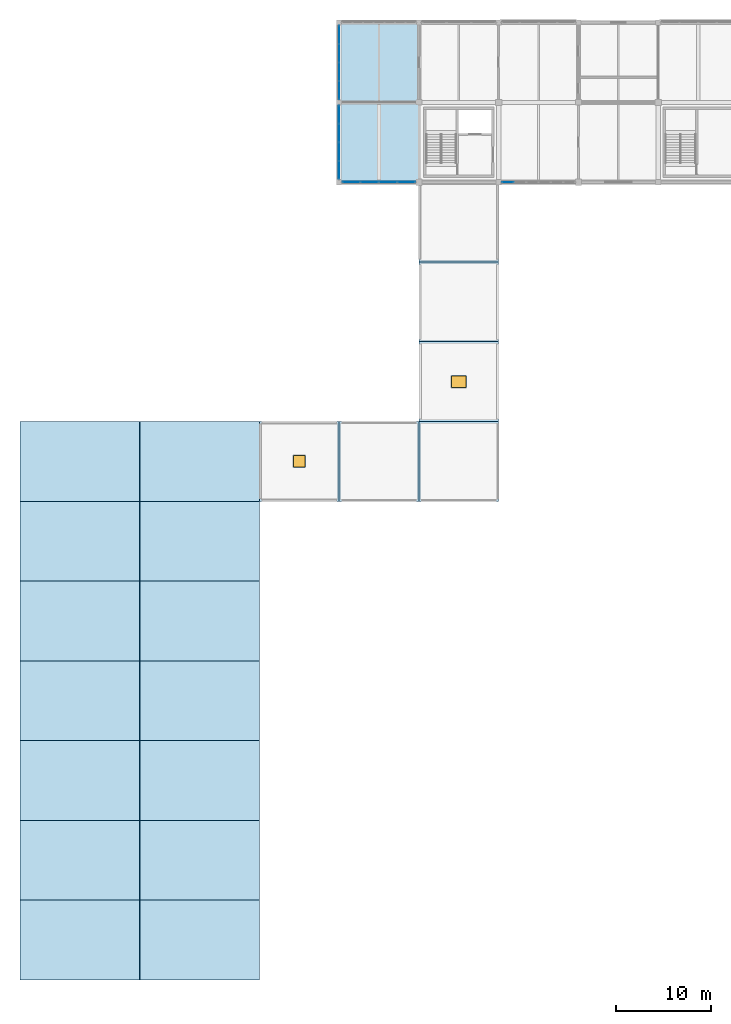
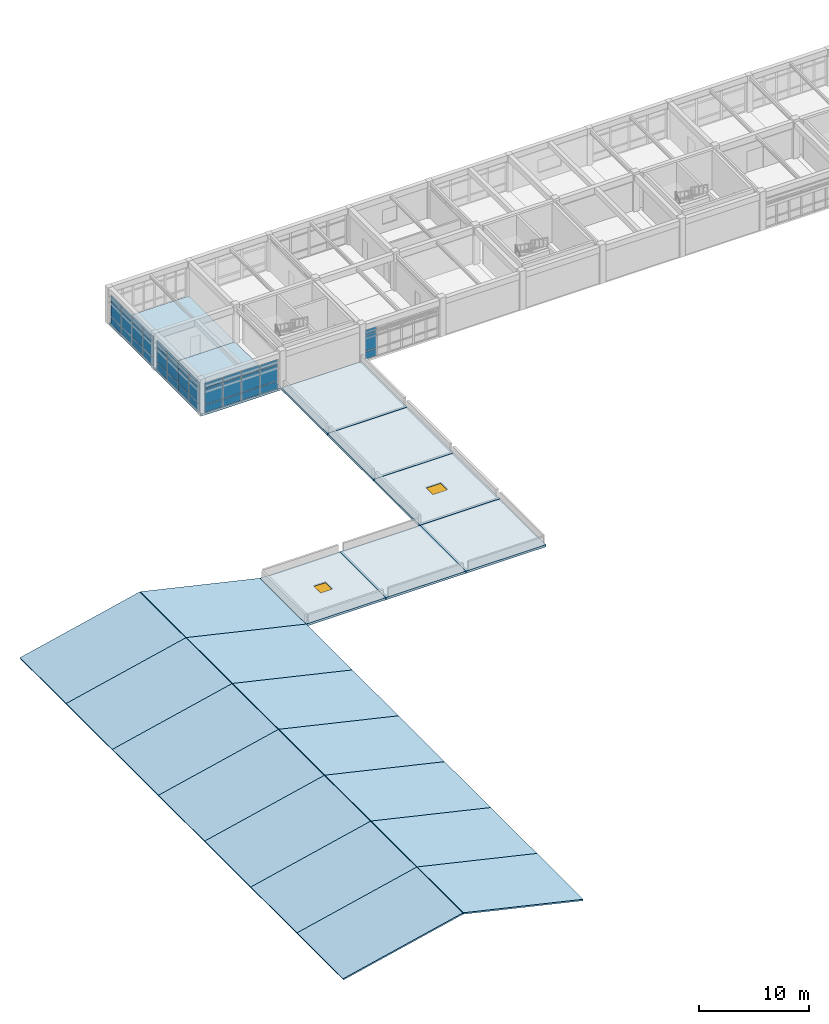
# One storey, part 11 of 18: 39 plates, 22 slabs, 2 windows, 2 openings, 4 elements without a shape of their own.
"""IFC4 building model written with IfcOpenShell, lengths in metres."""

from ifc_helpers import new_model, si_unit, direction, frame, origin, origin_2d, place, context, subcontext, project, spatial, polyline, rectangle, outline, extrude, material, layer, layer_set, type_object, element, fill, aggregate, save


model = new_model("IFC4")

# Units and contexts
model_context = context("Model", 3, precision=1e-05, world=origin(), true_north=direction((0.0, 1.0)))
body_context = subcontext(model_context, "Body", "Model", "MODEL_VIEW")
ifc_project = project(units=[si_unit("LENGTHUNIT", "METRE"), si_unit("AREAUNIT", "SQUARE_METRE"), si_unit("VOLUMEUNIT", "CUBIC_METRE"), si_unit("PLANEANGLEUNIT", "RADIAN"), si_unit("MASSUNIT", "GRAM", prefix="KILO")], contexts=[model_context])

# Site, building, storey
site_placement = place(None, origin())
site = spatial("IfcSite", under=ifc_project, at=site_placement, CompositionType="ELEMENT")
building_placement = place(site_placement, origin())
building = spatial("IfcBuilding", under=site, at=building_placement, Name="Porcellanite Civic Hall", CompositionType="ELEMENT")
storey_placement = place(building_placement, frame((0.0, 0.0, 23.39990234375)))
storey = spatial("IfcBuildingStorey", under=building, at=storey_placement, Name="L05", CompositionType="ELEMENT", Elevation=23.39990234375)

# Curtain wall, plates
ifc_material_1 = material(Name="Anodised aluminium and solar laminated glass", Category="aluminium")
ifc_layer_1 = layer(ifc_material_1, 0.179931640625)
ifc_layer_set_1 = layer_set([ifc_layer_1], Name="Anodised aluminium and solar laminated glass")
curtain_wall_type_1 = type_object("IfcCurtainWallType", Name="CW-SYS06", PredefinedType="NOTDEFINED", material=ifc_layer_set_1)
curtain_wall_1_placement = place(storey_placement, origin())
curtain_wall_1 = element("IfcCurtainWall", 1, at=curtain_wall_1_placement, inside=storey, type_object=curtain_wall_type_1, Name="Curtain wall CW-260", PredefinedType="NOTDEFINED")
ifc_material_2 = material(Name="Cyclone laminated solar-control low-E glass", Category="glass")
ifc_layer_2 = layer(ifc_material_2, 0.02392578125)
ifc_layer_set_2 = layer_set([ifc_layer_2], Name="Cyclone laminated solar-control low-E glass")
plate_type_1 = type_object("IfcPlateType", Name="CWP-01", PredefinedType="CURTAIN_PANEL", material=ifc_layer_set_2)
plate_1_placement = place(storey_placement, frame((42.0, 110.47314453125, 0.05029296875), z_axis=(0.0, 0.0, 1.0), x_axis=(0.0, 1.0, 0.0)))
plate_1 = element("IfcPlate", 2, at=plate_1_placement, type_object=plate_type_1, Name="CW-260 panel 1.1", PredefinedType="CURTAIN_PANEL", context=body_context, shape_type="SweptSolid", body=[
    extrude(rectangle(XDim=1.864501953125, YDim=0.02392578125, at=origin_2d()), origin(), (0.0, 0.0, 1.0), 0.824951171875),
])
plate_2_placement = place(storey_placement, frame((42.0, 110.47314453125, 0.925048828125), z_axis=(0.0, 0.0, 1.0), x_axis=(0.0, 1.0, 0.0)))
plate_2 = element("IfcPlate", 3, at=plate_2_placement, type_object=plate_type_1, Name="CW-260 panel 1.2", PredefinedType="CURTAIN_PANEL", context=body_context, shape_type="SweptSolid", body=[
    extrude(rectangle(XDim=1.864501953125, YDim=0.02392578125, at=origin_2d()), origin(), (0.0, 0.0, 1.0), 1.77001953125),
])
plate_3_placement = place(storey_placement, frame((42.0, 110.47314453125, 2.7451171875), z_axis=(0.0, 0.0, 1.0), x_axis=(0.0, 1.0, 0.0)))
plate_3 = element("IfcPlate", 4, at=plate_3_placement, type_object=plate_type_1, Name="CW-260 panel 1.3", PredefinedType="CURTAIN_PANEL", context=body_context, shape_type="SweptSolid", body=[
    extrude(rectangle(XDim=1.864501953125, YDim=0.02392578125, at=origin_2d()), origin(), (0.0, 0.0, 1.0), 0.574951171875),
])
plate_4_placement = place(storey_placement, frame((42.0, 112.4189453125, 0.05029296875), z_axis=(0.0, 0.0, 1.0), x_axis=(0.0, 1.0, 0.0)))
plate_4 = element("IfcPlate", 5, at=plate_4_placement, type_object=plate_type_1, Name="CW-260 panel 2.1", PredefinedType="CURTAIN_PANEL", context=body_context, shape_type="SweptSolid", body=[
    extrude(rectangle(XDim=1.89697265625, YDim=0.02392578125, at=origin_2d()), origin(), (0.0, 0.0, 1.0), 0.824951171875),
])
plate_5_placement = place(storey_placement, frame((42.0, 112.4189453125, 0.925048828125), z_axis=(0.0, 0.0, 1.0), x_axis=(0.0, 1.0, 0.0)))
plate_5 = element("IfcPlate", 6, at=plate_5_placement, type_object=plate_type_1, Name="CW-260 panel 2.2", PredefinedType="CURTAIN_PANEL", context=body_context, shape_type="SweptSolid", body=[
    extrude(rectangle(XDim=1.89697265625, YDim=0.02392578125, at=origin_2d()), origin(), (0.0, 0.0, 1.0), 1.77001953125),
])
plate_6_placement = place(storey_placement, frame((42.0, 112.4189453125, 2.7451171875), z_axis=(0.0, 0.0, 1.0), x_axis=(0.0, 1.0, 0.0)))
plate_6 = element("IfcPlate", 7, at=plate_6_placement, type_object=plate_type_1, Name="CW-260 panel 2.3", PredefinedType="CURTAIN_PANEL", context=body_context, shape_type="SweptSolid", body=[
    extrude(rectangle(XDim=1.89697265625, YDim=0.02392578125, at=origin_2d()), origin(), (0.0, 0.0, 1.0), 0.574951171875),
])
plate_7_placement = place(storey_placement, frame((42.0, 114.381103515625, 0.05029296875), z_axis=(0.0, 0.0, 1.0), x_axis=(0.0, 1.0, 0.0)))
plate_7 = element("IfcPlate", 8, at=plate_7_placement, type_object=plate_type_1, Name="CW-260 panel 3.1", PredefinedType="CURTAIN_PANEL", context=body_context, shape_type="SweptSolid", body=[
    extrude(rectangle(XDim=1.89697265625, YDim=0.02392578125, at=origin_2d()), origin(), (0.0, 0.0, 1.0), 0.824951171875),
])
plate_8_placement = place(storey_placement, frame((42.0, 114.381103515625, 0.925048828125), z_axis=(0.0, 0.0, 1.0), x_axis=(0.0, 1.0, 0.0)))
plate_8 = element("IfcPlate", 9, at=plate_8_placement, type_object=plate_type_1, Name="CW-260 panel 3.2", PredefinedType="CURTAIN_PANEL", context=body_context, shape_type="SweptSolid", body=[
    extrude(rectangle(XDim=1.89697265625, YDim=0.02392578125, at=origin_2d()), origin(), (0.0, 0.0, 1.0), 1.77001953125),
])
plate_9_placement = place(storey_placement, frame((42.0, 114.381103515625, 2.7451171875), z_axis=(0.0, 0.0, 1.0), x_axis=(0.0, 1.0, 0.0)))
plate_9 = element("IfcPlate", 10, at=plate_9_placement, type_object=plate_type_1, Name="CW-260 panel 3.3", PredefinedType="CURTAIN_PANEL", context=body_context, shape_type="SweptSolid", body=[
    extrude(rectangle(XDim=1.89697265625, YDim=0.02392578125, at=origin_2d()), origin(), (0.0, 0.0, 1.0), 0.574951171875),
])
plate_10_placement = place(storey_placement, frame((42.0, 116.32666015625, 0.05029296875), z_axis=(0.0, 0.0, 1.0), x_axis=(0.0, 1.0, 0.0)))
plate_10 = element("IfcPlate", 11, at=plate_10_placement, type_object=plate_type_1, Name="CW-260 panel 4.1", PredefinedType="CURTAIN_PANEL", context=body_context, shape_type="SweptSolid", body=[
    extrude(rectangle(XDim=1.864501953125, YDim=0.02392578125, at=origin_2d()), origin(), (0.0, 0.0, 1.0), 0.824951171875),
])
plate_11_placement = place(storey_placement, frame((42.0, 116.32666015625, 0.925048828125), z_axis=(0.0, 0.0, 1.0), x_axis=(0.0, 1.0, 0.0)))
plate_11 = element("IfcPlate", 12, at=plate_11_placement, type_object=plate_type_1, Name="CW-260 panel 4.2", PredefinedType="CURTAIN_PANEL", context=body_context, shape_type="SweptSolid", body=[
    extrude(rectangle(XDim=1.864501953125, YDim=0.02392578125, at=origin_2d()), origin(), (0.0, 0.0, 1.0), 1.77001953125),
])
plate_12_placement = place(storey_placement, frame((42.0, 116.32666015625, 2.7451171875), z_axis=(0.0, 0.0, 1.0), x_axis=(0.0, 1.0, 0.0)))
plate_12 = element("IfcPlate", 13, at=plate_12_placement, type_object=plate_type_1, Name="CW-260 panel 4.3", PredefinedType="CURTAIN_PANEL", context=body_context, shape_type="SweptSolid", body=[
    extrude(rectangle(XDim=1.864501953125, YDim=0.02392578125, at=origin_2d()), origin(), (0.0, 0.0, 1.0), 0.574951171875),
])
aggregate(curtain_wall_1, [plate_1, plate_2, plate_3, plate_4, plate_5, plate_6, plate_7, plate_8, plate_9, plate_10, plate_11, plate_12])

ifc_material_3 = material(Name="Anodised aluminium and solar laminated glass", Category="aluminium")
ifc_layer_3 = layer(ifc_material_3, 0.179931640625)
ifc_layer_set_3 = layer_set([ifc_layer_3], Name="Anodised aluminium and solar laminated glass")
curtain_wall_type_2 = type_object("IfcCurtainWallType", Name="CW-SYS01", PredefinedType="NOTDEFINED", material=ifc_layer_set_3)
curtain_wall_2_placement = place(storey_placement, origin())
curtain_wall_2 = element("IfcCurtainWall", 14, at=curtain_wall_2_placement, inside=storey, type_object=curtain_wall_type_2, Name="Curtain wall CW-263", PredefinedType="NOTDEFINED")
ifc_material_4 = material(Name="Cyclone laminated solar-control low-E glass", Category="glass")
ifc_layer_4 = layer(ifc_material_4, 0.030029296875)
ifc_layer_set_4 = layer_set([ifc_layer_4], Name="Cyclone laminated solar-control low-E glass")
plate_type_2 = type_object("IfcPlateType", Name="CWP-04", PredefinedType="CURTAIN_PANEL", material=ifc_layer_set_4)
plate_13_placement = place(storey_placement, frame((59.766357421875, 100.800048828125, 0.06005859375), z_axis=(0.0, 0.0, 1.0), x_axis=(-1.0, 0.0, 0.0)))
plate_13 = element("IfcPlate", 15, at=plate_13_placement, type_object=plate_type_2, Name="CW-263 panel 6.1", PredefinedType="CURTAIN_PANEL", context=body_context, shape_type="SweptSolid", body=[
    extrude(rectangle(XDim=1.1904296875, YDim=0.030029296875, at=origin_2d()), origin(), (0.0, 0.0, 1.0), 0.81005859375),
])
plate_14_placement = place(storey_placement, frame((59.766357421875, 100.800048828125, 0.93017578125), z_axis=(0.0, 0.0, 1.0), x_axis=(-1.0, 0.0, 0.0)))
plate_14 = element("IfcPlate", 16, at=plate_14_placement, type_object=plate_type_2, Name="CW-263 panel 6.2", PredefinedType="CURTAIN_PANEL", context=body_context, shape_type="SweptSolid", body=[
    extrude(rectangle(XDim=1.1904296875, YDim=0.030029296875, at=origin_2d()), origin(), (0.0, 0.0, 1.0), 1.760009765625),
])
plate_15_placement = place(storey_placement, frame((59.766357421875, 100.800048828125, 2.75), z_axis=(0.0, 0.0, 1.0), x_axis=(-1.0, 0.0, 0.0)))
plate_15 = element("IfcPlate", 17, at=plate_15_placement, type_object=plate_type_2, Name="CW-263 panel 6.3", PredefinedType="CURTAIN_PANEL", context=body_context, shape_type="SweptSolid", body=[
    extrude(rectangle(XDim=1.1904296875, YDim=0.030029296875, at=origin_2d()), origin(), (0.0, 0.0, 1.0), 0.56005859375),
])
aggregate(curtain_wall_2, [plate_13, plate_14, plate_15])

ifc_material_5 = material(Name="Anodised aluminium and solar laminated glass", Category="aluminium")
ifc_layer_5 = layer(ifc_material_5, 0.179931640625)
ifc_layer_set_5 = layer_set([ifc_layer_5], Name="Anodised aluminium and solar laminated glass")
curtain_wall_type_3 = type_object("IfcCurtainWallType", Name="CW-SYS03", PredefinedType="NOTDEFINED", material=ifc_layer_set_5)
curtain_wall_3_placement = place(storey_placement, origin())
curtain_wall_3 = element("IfcCurtainWall", 18, at=curtain_wall_3_placement, inside=storey, type_object=curtain_wall_type_3, Name="Curtain wall CW-258", PredefinedType="NOTDEFINED")
ifc_material_6 = material(Name="Insulated ochre aluminium spandrel panel", Category="aluminium")
ifc_layer_6 = layer(ifc_material_6, 0.0419921875)
ifc_layer_set_6 = layer_set([ifc_layer_6], Name="Insulated ochre aluminium spandrel panel")
plate_type_3 = type_object("IfcPlateType", Name="CWP-09", PredefinedType="CURTAIN_PANEL", material=ifc_layer_set_6)
plate_16_placement = place(storey_placement, frame((49.079345703125, 100.800048828125, 0.05517578125), z_axis=(0.0, 0.0, 1.0), x_axis=(-1.0, 0.0, 0.0)))
plate_16 = element("IfcPlate", 19, at=plate_16_placement, type_object=plate_type_3, Name="CW-258 panel 1.1", PredefinedType="CURTAIN_PANEL", context=body_context, shape_type="SweptSolid", body=[
    extrude(rectangle(XDim=1.82958984375, YDim=0.0419921875, at=origin_2d()), origin(), (0.0, 0.0, 1.0), 0.8173828125),
])
plate_17_placement = place(storey_placement, frame((49.079345703125, 100.800048828125, 0.927734375), z_axis=(0.0, 0.0, 1.0), x_axis=(-1.0, 0.0, 0.0)))
plate_17 = element("IfcPlate", 20, at=plate_17_placement, type_object=plate_type_3, Name="CW-258 panel 1.2", PredefinedType="CURTAIN_PANEL", context=body_context, shape_type="SweptSolid", body=[
    extrude(rectangle(XDim=1.82958984375, YDim=0.0419921875, at=origin_2d()), origin(), (0.0, 0.0, 1.0), 1.764892578125),
])
plate_18_placement = place(storey_placement, frame((49.079345703125, 100.800048828125, 2.74755859375), z_axis=(0.0, 0.0, 1.0), x_axis=(-1.0, 0.0, 0.0)))
plate_18 = element("IfcPlate", 21, at=plate_18_placement, type_object=plate_type_3, Name="CW-258 panel 1.3", PredefinedType="CURTAIN_PANEL", context=body_context, shape_type="SweptSolid", body=[
    extrude(rectangle(XDim=1.82958984375, YDim=0.0419921875, at=origin_2d()), origin(), (0.0, 0.0, 1.0), 0.5673828125),
])
plate_19_placement = place(storey_placement, frame((47.149658203125, 100.800048828125, 0.05517578125), z_axis=(0.0, 0.0, 1.0), x_axis=(-1.0, 0.0, 0.0)))
plate_19 = element("IfcPlate", 22, at=plate_19_placement, type_object=plate_type_3, Name="CW-258 panel 2.1", PredefinedType="CURTAIN_PANEL", context=body_context, shape_type="SweptSolid", body=[
    extrude(rectangle(XDim=1.869384765625, YDim=0.0419921875, at=origin_2d()), origin(), (0.0, 0.0, 1.0), 0.8173828125),
])
plate_20_placement = place(storey_placement, frame((47.149658203125, 100.800048828125, 0.927734375), z_axis=(0.0, 0.0, 1.0), x_axis=(-1.0, 0.0, 0.0)))
plate_20 = element("IfcPlate", 23, at=plate_20_placement, type_object=plate_type_3, Name="CW-258 panel 2.2", PredefinedType="CURTAIN_PANEL", context=body_context, shape_type="SweptSolid", body=[
    extrude(rectangle(XDim=1.869384765625, YDim=0.0419921875, at=origin_2d()), origin(), (0.0, 0.0, 1.0), 1.764892578125),
])
plate_21_placement = place(storey_placement, frame((47.149658203125, 100.800048828125, 2.74755859375), z_axis=(0.0, 0.0, 1.0), x_axis=(-1.0, 0.0, 0.0)))
plate_21 = element("IfcPlate", 24, at=plate_21_placement, type_object=plate_type_3, Name="CW-258 panel 2.3", PredefinedType="CURTAIN_PANEL", context=body_context, shape_type="SweptSolid", body=[
    extrude(rectangle(XDim=1.869384765625, YDim=0.0419921875, at=origin_2d()), origin(), (0.0, 0.0, 1.0), 0.5673828125),
])
plate_22_placement = place(storey_placement, frame((45.2001953125, 100.800048828125, 0.05517578125), z_axis=(0.0, 0.0, 1.0), x_axis=(-1.0, 0.0, 0.0)))
plate_22 = element("IfcPlate", 25, at=plate_22_placement, type_object=plate_type_3, Name="CW-258 panel 3.1", PredefinedType="CURTAIN_PANEL", context=body_context, shape_type="SweptSolid", body=[
    extrude(rectangle(XDim=1.869384765625, YDim=0.0419921875, at=origin_2d()), origin(), (0.0, 0.0, 1.0), 0.8173828125),
])
plate_23_placement = place(storey_placement, frame((45.2001953125, 100.800048828125, 0.927734375), z_axis=(0.0, 0.0, 1.0), x_axis=(-1.0, 0.0, 0.0)))
plate_23 = element("IfcPlate", 26, at=plate_23_placement, type_object=plate_type_3, Name="CW-258 panel 3.2", PredefinedType="CURTAIN_PANEL", context=body_context, shape_type="SweptSolid", body=[
    extrude(rectangle(XDim=1.869384765625, YDim=0.0419921875, at=origin_2d()), origin(), (0.0, 0.0, 1.0), 1.764892578125),
])
plate_24_placement = place(storey_placement, frame((45.2001953125, 100.800048828125, 2.74755859375), z_axis=(0.0, 0.0, 1.0), x_axis=(-1.0, 0.0, 0.0)))
plate_24 = element("IfcPlate", 27, at=plate_24_placement, type_object=plate_type_3, Name="CW-258 panel 3.3", PredefinedType="CURTAIN_PANEL", context=body_context, shape_type="SweptSolid", body=[
    extrude(rectangle(XDim=1.869384765625, YDim=0.0419921875, at=origin_2d()), origin(), (0.0, 0.0, 1.0), 0.5673828125),
])
plate_25_placement = place(storey_placement, frame((43.270751953125, 100.800048828125, 0.05517578125), z_axis=(0.0, 0.0, 1.0), x_axis=(-1.0, 0.0, 0.0)))
plate_25 = element("IfcPlate", 28, at=plate_25_placement, type_object=plate_type_3, Name="CW-258 panel 4.1", PredefinedType="CURTAIN_PANEL", context=body_context, shape_type="SweptSolid", body=[
    extrude(rectangle(XDim=1.82958984375, YDim=0.0419921875, at=origin_2d()), origin(), (0.0, 0.0, 1.0), 0.8173828125),
])
plate_26_placement = place(storey_placement, frame((43.270751953125, 100.800048828125, 0.927734375), z_axis=(0.0, 0.0, 1.0), x_axis=(-1.0, 0.0, 0.0)))
plate_26 = element("IfcPlate", 29, at=plate_26_placement, type_object=plate_type_3, Name="CW-258 panel 4.2", PredefinedType="CURTAIN_PANEL", context=body_context, shape_type="SweptSolid", body=[
    extrude(rectangle(XDim=1.82958984375, YDim=0.0419921875, at=origin_2d()), origin(), (0.0, 0.0, 1.0), 1.764892578125),
])
plate_27_placement = place(storey_placement, frame((43.270751953125, 100.800048828125, 2.74755859375), z_axis=(0.0, 0.0, 1.0), x_axis=(-1.0, 0.0, 0.0)))
plate_27 = element("IfcPlate", 30, at=plate_27_placement, type_object=plate_type_3, Name="CW-258 panel 4.3", PredefinedType="CURTAIN_PANEL", context=body_context, shape_type="SweptSolid", body=[
    extrude(rectangle(XDim=1.82958984375, YDim=0.0419921875, at=origin_2d()), origin(), (0.0, 0.0, 1.0), 0.5673828125),
])
aggregate(curtain_wall_3, [plate_16, plate_17, plate_18, plate_19, plate_20, plate_21, plate_22, plate_23, plate_24, plate_25, plate_26, plate_27])

ifc_material_7 = material(Name="Anodised aluminium and solar laminated glass", Category="aluminium")
ifc_layer_7 = layer(ifc_material_7, 0.179931640625)
ifc_layer_set_7 = layer_set([ifc_layer_7], Name="Anodised aluminium and solar laminated glass")
curtain_wall_type_4 = type_object("IfcCurtainWallType", Name="CW-SYS04", PredefinedType="NOTDEFINED", material=ifc_layer_set_7)
curtain_wall_4_placement = place(storey_placement, origin())
curtain_wall_4 = element("IfcCurtainWall", 31, at=curtain_wall_4_placement, inside=storey, type_object=curtain_wall_type_4, Name="Curtain wall CW-259", PredefinedType="NOTDEFINED")
ifc_material_8 = material(Name="Insulated ochre aluminium spandrel panel", Category="aluminium")
ifc_layer_8 = layer(ifc_material_8, 0.0458984375)
ifc_layer_set_8 = layer_set([ifc_layer_8], Name="Insulated ochre aluminium spandrel panel")
plate_type_4 = type_object("IfcPlateType", Name="CWP-10", PredefinedType="CURTAIN_PANEL", material=ifc_layer_set_8)
plate_28_placement = place(storey_placement, frame((42.0, 102.07568359375, 0.05517578125), z_axis=(0.0, 0.0, 1.0), x_axis=(0.0, 1.0, 0.0)))
plate_28 = element("IfcPlate", 32, at=plate_28_placement, type_object=plate_type_4, Name="CW-259 panel 1.1", PredefinedType="CURTAIN_PANEL", context=body_context, shape_type="SweptSolid", body=[
    extrude(rectangle(XDim=1.849609375, YDim=0.0458984375, at=origin_2d()), origin(), (0.0, 0.0, 1.0), 0.8173828125),
])
plate_29_placement = place(storey_placement, frame((42.0, 102.07568359375, 0.927734375), z_axis=(0.0, 0.0, 1.0), x_axis=(0.0, 1.0, 0.0)))
plate_29 = element("IfcPlate", 33, at=plate_29_placement, type_object=plate_type_4, Name="CW-259 panel 1.2", PredefinedType="CURTAIN_PANEL", context=body_context, shape_type="SweptSolid", body=[
    extrude(rectangle(XDim=1.849609375, YDim=0.0458984375, at=origin_2d()), origin(), (0.0, 0.0, 1.0), 1.764892578125),
])
plate_30_placement = place(storey_placement, frame((42.0, 102.07568359375, 2.74755859375), z_axis=(0.0, 0.0, 1.0), x_axis=(0.0, 1.0, 0.0)))
plate_30 = element("IfcPlate", 34, at=plate_30_placement, type_object=plate_type_4, Name="CW-259 panel 1.3", PredefinedType="CURTAIN_PANEL", context=body_context, shape_type="SweptSolid", body=[
    extrude(rectangle(XDim=1.849609375, YDim=0.0458984375, at=origin_2d()), origin(), (0.0, 0.0, 1.0), 0.5673828125),
])
plate_31_placement = place(storey_placement, frame((42.0, 104.01904296875, 0.05517578125), z_axis=(0.0, 0.0, 1.0), x_axis=(0.0, 1.0, 0.0)))
plate_31 = element("IfcPlate", 35, at=plate_31_placement, type_object=plate_type_4, Name="CW-259 panel 2.1", PredefinedType="CURTAIN_PANEL", context=body_context, shape_type="SweptSolid", body=[
    extrude(rectangle(XDim=1.886962890625, YDim=0.0458984375, at=origin_2d()), origin(), (0.0, 0.0, 1.0), 0.8173828125),
])
plate_32_placement = place(storey_placement, frame((42.0, 104.01904296875, 0.927734375), z_axis=(0.0, 0.0, 1.0), x_axis=(0.0, 1.0, 0.0)))
plate_32 = element("IfcPlate", 36, at=plate_32_placement, type_object=plate_type_4, Name="CW-259 panel 2.2", PredefinedType="CURTAIN_PANEL", context=body_context, shape_type="SweptSolid", body=[
    extrude(rectangle(XDim=1.886962890625, YDim=0.0458984375, at=origin_2d()), origin(), (0.0, 0.0, 1.0), 1.764892578125),
])
plate_33_placement = place(storey_placement, frame((42.0, 104.01904296875, 2.74755859375), z_axis=(0.0, 0.0, 1.0), x_axis=(0.0, 1.0, 0.0)))
plate_33 = element("IfcPlate", 37, at=plate_33_placement, type_object=plate_type_4, Name="CW-259 panel 2.3", PredefinedType="CURTAIN_PANEL", context=body_context, shape_type="SweptSolid", body=[
    extrude(rectangle(XDim=1.886962890625, YDim=0.0458984375, at=origin_2d()), origin(), (0.0, 0.0, 1.0), 0.5673828125),
])
plate_34_placement = place(storey_placement, frame((42.0, 105.98095703125, 0.05517578125), z_axis=(0.0, 0.0, 1.0), x_axis=(0.0, 1.0, 0.0)))
plate_34 = element("IfcPlate", 38, at=plate_34_placement, type_object=plate_type_4, Name="CW-259 panel 3.1", PredefinedType="CURTAIN_PANEL", context=body_context, shape_type="SweptSolid", body=[
    extrude(rectangle(XDim=1.886962890625, YDim=0.0458984375, at=origin_2d()), origin(), (0.0, 0.0, 1.0), 0.8173828125),
])
plate_35_placement = place(storey_placement, frame((42.0, 105.98095703125, 0.927734375), z_axis=(0.0, 0.0, 1.0), x_axis=(0.0, 1.0, 0.0)))
plate_35 = element("IfcPlate", 39, at=plate_35_placement, type_object=plate_type_4, Name="CW-259 panel 3.2", PredefinedType="CURTAIN_PANEL", context=body_context, shape_type="SweptSolid", body=[
    extrude(rectangle(XDim=1.886962890625, YDim=0.0458984375, at=origin_2d()), origin(), (0.0, 0.0, 1.0), 1.764892578125),
])
plate_36_placement = place(storey_placement, frame((42.0, 105.98095703125, 2.74755859375), z_axis=(0.0, 0.0, 1.0), x_axis=(0.0, 1.0, 0.0)))
plate_36 = element("IfcPlate", 40, at=plate_36_placement, type_object=plate_type_4, Name="CW-259 panel 3.3", PredefinedType="CURTAIN_PANEL", context=body_context, shape_type="SweptSolid", body=[
    extrude(rectangle(XDim=1.886962890625, YDim=0.0458984375, at=origin_2d()), origin(), (0.0, 0.0, 1.0), 0.5673828125),
])
plate_37_placement = place(storey_placement, frame((42.0, 107.92431640625, 0.05517578125), z_axis=(0.0, 0.0, 1.0), x_axis=(0.0, 1.0, 0.0)))
plate_37 = element("IfcPlate", 41, at=plate_37_placement, type_object=plate_type_4, Name="CW-259 panel 4.1", PredefinedType="CURTAIN_PANEL", context=body_context, shape_type="SweptSolid", body=[
    extrude(rectangle(XDim=1.849609375, YDim=0.0458984375, at=origin_2d()), origin(), (0.0, 0.0, 1.0), 0.8173828125),
])
plate_38_placement = place(storey_placement, frame((42.0, 107.92431640625, 0.927734375), z_axis=(0.0, 0.0, 1.0), x_axis=(0.0, 1.0, 0.0)))
plate_38 = element("IfcPlate", 42, at=plate_38_placement, type_object=plate_type_4, Name="CW-259 panel 4.2", PredefinedType="CURTAIN_PANEL", context=body_context, shape_type="SweptSolid", body=[
    extrude(rectangle(XDim=1.849609375, YDim=0.0458984375, at=origin_2d()), origin(), (0.0, 0.0, 1.0), 1.764892578125),
])
plate_39_placement = place(storey_placement, frame((42.0, 107.92431640625, 2.74755859375), z_axis=(0.0, 0.0, 1.0), x_axis=(0.0, 1.0, 0.0)))
plate_39 = element("IfcPlate", 43, at=plate_39_placement, type_object=plate_type_4, Name="CW-259 panel 4.3", PredefinedType="CURTAIN_PANEL", context=body_context, shape_type="SweptSolid", body=[
    extrude(rectangle(XDim=1.849609375, YDim=0.0458984375, at=origin_2d()), origin(), (0.0, 0.0, 1.0), 0.5673828125),
])
aggregate(curtain_wall_4, [plate_28, plate_29, plate_30, plate_31, plate_32, plate_33, plate_34, plate_35, plate_36, plate_37, plate_38, plate_39])

# Slabs
ifc_material_9 = material(Name="Concrete N40 (40 MPa)", Category="concrete")
ifc_layer_9 = layer(ifc_material_9, 0.25)
ifc_layer_set_9 = layer_set([ifc_layer_9], Name="Concrete N40 (40 MPa)")
slab_type_1 = type_object("IfcSlabType", Name="SL-FL250", PredefinedType="FLOOR", material=ifc_layer_set_9)
slab_1_placement = place(storey_placement, frame((0.0, 0.0, -0.25)))
element("IfcSlab", 44, at=slab_1_placement, inside=storey, type_object=slab_type_1, Name="Slab L05 bay 6-13", PredefinedType="FLOOR", context=body_context, shape_type="SweptSolid", body=[
    extrude(outline(polyline([(42.0, 100.800048828125), (50.39990234375, 100.800048828125), (50.39990234375, 109.199951171875), (42.0, 109.199951171875), (42.0, 100.800048828125)])), origin(), (0.0, 0.0, 1.0), 0.25),
])
slab_2_placement = place(storey_placement, frame((0.0, 0.0, -0.25)))
element("IfcSlab", 45, at=slab_2_placement, inside=storey, type_object=slab_type_1, Name="Slab L05 bay 6-14", PredefinedType="FLOOR", context=body_context, shape_type="SweptSolid", body=[
    extrude(outline(polyline([(42.0, 109.199951171875), (50.39990234375, 109.199951171875), (50.39990234375, 117.60009765625), (42.0, 117.60009765625), (42.0, 109.199951171875)])), origin(), (0.0, 0.0, 1.0), 0.25),
])
ifc_material_10 = material(Name="Concrete N40 (40 MPa)", Category="concrete")
ifc_layer_10 = layer(ifc_material_10, 0.159912109375)
ifc_layer_set_10 = layer_set([ifc_layer_10], Name="Concrete N40 (40 MPa)")
slab_type_2 = type_object("IfcSlabType", Name="SL-MON160", PredefinedType="ROOF", material=ifc_layer_set_10)
for number, where, z_axis, x_axis, name in (
    (46, (8.39990234375, 16.800048828125, 0.0), (-0.224949379305, 0.0, 0.974370451497), (0.974370451497, 0.0, 0.224949379305), "Committee monsoon roof west 2"),
    (47, (21.034912109375, 16.800048828125, 2.90087890625), (0.224949379305, 0.0, 0.974370451497), (0.974370451497, 0.0, -0.224949379305), "Committee monsoon roof east 2"),
):
    element("IfcSlab", number, at=place(storey_placement, frame(where, z_axis=z_axis, x_axis=x_axis)), inside=storey, type_object=slab_type_2, Name=name, PredefinedType="ROOF", context=body_context, shape_type="SweptSolid", body=[
        extrude(outline(polyline([(0.0, 0.0), (12.895696423850966, 0.0), (12.895696423850966, 8.39990234375), (0.0, 8.39990234375), (0.0, 0.0)])), origin(), (0.0, 0.0, -1.0), 0.159912109375),
    ])
for number, where, z_axis, x_axis, name in (
    (48, (8.39990234375, 25.199951171875, 0.0), (-0.224949379305, 0.0, 0.974370451497), (0.974370451497, 0.0, 0.224949379305), "Committee monsoon roof west 3"),
    (49, (21.034912109375, 25.199951171875, 2.90087890625), (0.224949379305, 0.0, 0.974370451497), (0.974370451497, 0.0, -0.224949379305), "Committee monsoon roof east 3"),
):
    element("IfcSlab", number, at=place(storey_placement, frame(where, z_axis=z_axis, x_axis=x_axis)), inside=storey, type_object=slab_type_2, Name=name, PredefinedType="ROOF", context=body_context, shape_type="SweptSolid", body=[
        extrude(outline(polyline([(0.0, 0.0), (12.895696423850966, 0.0), (12.895696423850966, 8.400146484375), (0.0, 8.400146484375), (0.0, 0.0)])), origin(), (0.0, 0.0, -1.0), 0.159912109375),
    ])
for number, where, z_axis, x_axis, name in (
    (50, (8.39990234375, 33.60009765625, 0.0), (-0.224949379305, 0.0, 0.974370451497), (0.974370451497, 0.0, 0.224949379305), "Committee monsoon roof west 4"),
    (51, (21.034912109375, 33.60009765625, 2.90087890625), (0.224949379305, 0.0, 0.974370451497), (0.974370451497, 0.0, -0.224949379305), "Committee monsoon roof east 4"),
    (52, (8.39990234375, 42.0, 0.0), (-0.224949379305, 0.0, 0.974370451497), (0.974370451497, 0.0, 0.224949379305), "Committee monsoon roof west 5"),
    (53, (21.034912109375, 42.0, 2.90087890625), (0.224949379305, 0.0, 0.974370451497), (0.974370451497, 0.0, -0.224949379305), "Committee monsoon roof east 5"),
):
    element("IfcSlab", number, at=place(storey_placement, frame(where, z_axis=z_axis, x_axis=x_axis)), inside=storey, type_object=slab_type_2, Name=name, PredefinedType="ROOF", context=body_context, shape_type="SweptSolid", body=[
        extrude(outline(polyline([(0.0, 0.0), (12.895696423850966, 0.0), (12.895696423850966, 8.39990234375), (0.0, 8.39990234375), (0.0, 0.0)])), origin(), (0.0, 0.0, -1.0), 0.159912109375),
    ])
for number, where, z_axis, x_axis, name in (
    (54, (8.39990234375, 50.39990234375, 0.0), (-0.224949379305, 0.0, 0.974370451497), (0.974370451497, 0.0, 0.224949379305), "Committee monsoon roof west 6"),
    (55, (21.034912109375, 50.39990234375, 2.90087890625), (0.224949379305, 0.0, 0.974370451497), (0.974370451497, 0.0, -0.224949379305), "Committee monsoon roof east 6"),
):
    element("IfcSlab", number, at=place(storey_placement, frame(where, z_axis=z_axis, x_axis=x_axis)), inside=storey, type_object=slab_type_2, Name=name, PredefinedType="ROOF", context=body_context, shape_type="SweptSolid", body=[
        extrude(outline(polyline([(0.0, 0.0), (12.895696423850966, 0.0), (12.895696423850966, 8.400146484375), (0.0, 8.400146484375), (0.0, 0.0)])), origin(), (0.0, 0.0, -1.0), 0.159912109375),
    ])
for number, where, z_axis, x_axis, name in (
    (56, (8.39990234375, 58.800048828125, 0.0), (-0.224949379305, 0.0, 0.974370451497), (0.974370451497, 0.0, 0.224949379305), "Committee monsoon roof west 7"),
    (57, (21.034912109375, 58.800048828125, 2.90087890625), (0.224949379305, 0.0, 0.974370451497), (0.974370451497, 0.0, -0.224949379305), "Committee monsoon roof east 7"),
):
    element("IfcSlab", number, at=place(storey_placement, frame(where, z_axis=z_axis, x_axis=x_axis)), inside=storey, type_object=slab_type_2, Name=name, PredefinedType="ROOF", context=body_context, shape_type="SweptSolid", body=[
        extrude(outline(polyline([(0.0, 0.0), (12.895696423850966, 0.0), (12.895696423850966, 8.39990234375), (0.0, 8.39990234375), (0.0, 0.0)])), origin(), (0.0, 0.0, -1.0), 0.159912109375),
    ])
for number, where, z_axis, x_axis, name in (
    (58, (8.39990234375, 67.199951171875, 0.0), (-0.224949379305, 0.0, 0.974370451497), (0.974370451497, 0.0, 0.224949379305), "Committee monsoon roof west 8"),
    (59, (21.034912109375, 67.199951171875, 2.90087890625), (0.224949379305, 0.0, 0.974370451497), (0.974370451497, 0.0, -0.224949379305), "Committee monsoon roof east 8"),
):
    element("IfcSlab", number, at=place(storey_placement, frame(where, z_axis=z_axis, x_axis=x_axis)), inside=storey, type_object=slab_type_2, Name=name, PredefinedType="ROOF", context=body_context, shape_type="SweptSolid", body=[
        extrude(outline(polyline([(0.0, 0.0), (12.895696423850966, 0.0), (12.895696423850966, 8.400146484375), (0.0, 8.400146484375), (0.0, 0.0)])), origin(), (0.0, 0.0, -1.0), 0.159912109375),
    ])

# Slab, opening, window
ifc_material_11 = material(Name="Concrete N40 (40 MPa)", Category="concrete")
ifc_layer_11 = layer(ifc_material_11, 0.25)
ifc_layer_set_11 = layer_set([ifc_layer_11], Name="Concrete N40 (40 MPa)")
slab_type_3 = type_object("IfcSlabType", Name="SL-RF250", PredefinedType="ROOF", material=ifc_layer_set_11)
slab_3_placement = place(storey_placement, frame((0.0, 0.0, -0.25)))
slab_3 = element("IfcSlab", 60, at=slab_3_placement, inside=storey, type_object=slab_type_3, Name="Roof slab L05 5-9", PredefinedType="ROOF", context=body_context, shape_type="SweptSolid", body=[
    extrude(outline(polyline([(33.60009765625, 67.199951171875), (42.0, 67.199951171875), (42.0, 75.60009765625), (33.60009765625, 75.60009765625), (33.60009765625, 67.199951171875)])), origin(), (0.0, 0.0, 1.0), 0.25),
])
opening_1_placement = place(slab_3_placement, frame((37.800048828125, 71.39990234375, 0.0)))
opening_1 = element("IfcOpeningElement", 61, at=opening_1_placement, cuts=slab_3, Name="Opening SK1", PredefinedType="OPENING", context=body_context, shape_type="SweptSolid", body=[
    extrude(rectangle(XDim=1.199951171875, YDim=1.199951171875, at=origin_2d()), origin(), (0.0, 0.0, 1.0), 0.25),
])
ifc_material_12 = material(Name="Cyclone laminated low-E glazing in anodised aluminium frame", Category="aluminium")
window_type_1 = type_object("IfcWindowType", Name="SK-01", PartitioningType="SINGLE_PANEL", PredefinedType="SKYLIGHT", material=ifc_material_12)
window_1_placement = place(opening_1_placement, frame((0.0, 0.0, 0.199951171875)))
window_1 = element("IfcWindow", 62, at=window_1_placement, inside=storey, type_object=window_type_1, Name="Roof skylight SK1 L05 5-9", OverallHeight=1.199951171875, OverallWidth=1.199951171875, PartitioningType="SINGLE_PANEL", PredefinedType="SKYLIGHT", context=body_context, shape_type="SweptSolid", body=[
    extrude(rectangle(XDim=1.199951171875, YDim=1.199951171875, at=origin_2d()), origin(), (0.0, 0.0, 1.0), 0.050048828125),
])
fill(opening_1, window_1)

# Slabs
slab_4_placement = place(storey_placement, frame((0.0, 0.0, -0.25)))
element("IfcSlab", 63, at=slab_4_placement, inside=storey, type_object=slab_type_3, Name="Roof slab L05 6-9", PredefinedType="ROOF", context=body_context, shape_type="SweptSolid", body=[
    extrude(outline(polyline([(42.0, 67.199951171875), (50.39990234375, 67.199951171875), (50.39990234375, 75.60009765625), (42.0, 75.60009765625), (42.0, 67.199951171875)])), origin(), (0.0, 0.0, 1.0), 0.25),
])
slab_5_placement = place(storey_placement, frame((0.0, 0.0, -0.25)))
element("IfcSlab", 64, at=slab_5_placement, inside=storey, type_object=slab_type_3, Name="Roof slab L05 7-9", PredefinedType="ROOF", context=body_context, shape_type="SweptSolid", body=[
    extrude(outline(polyline([(50.39990234375, 67.199951171875), (58.800048828125, 67.199951171875), (58.800048828125, 75.60009765625), (50.39990234375, 75.60009765625), (50.39990234375, 67.199951171875)])), origin(), (0.0, 0.0, 1.0), 0.25),
])

# Slab, opening, window
slab_6_placement = place(storey_placement, frame((0.0, 0.0, -0.25)))
slab_6 = element("IfcSlab", 65, at=slab_6_placement, inside=storey, type_object=slab_type_3, Name="Roof slab L05 7-10", PredefinedType="ROOF", context=body_context, shape_type="SweptSolid", body=[
    extrude(outline(polyline([(50.39990234375, 75.60009765625), (58.800048828125, 75.60009765625), (58.800048828125, 84.0), (50.39990234375, 84.0), (50.39990234375, 75.60009765625)])), origin(), (0.0, 0.0, 1.0), 0.25),
])
opening_2_placement = place(slab_6_placement, frame((54.60009765625, 79.800048828125, 0.0)))
opening_2 = element("IfcOpeningElement", 66, at=opening_2_placement, cuts=slab_6, Name="Opening SK2", PredefinedType="OPENING", context=body_context, shape_type="SweptSolid", body=[
    extrude(rectangle(XDim=1.5, YDim=1.199951171875, at=origin_2d()), origin(), (0.0, 0.0, 1.0), 0.25),
])
ifc_material_13 = material(Name="Cyclone laminated low-E glazing in anodised aluminium frame", Category="aluminium")
window_type_2 = type_object("IfcWindowType", Name="SK-02", PartitioningType="SINGLE_PANEL", PredefinedType="SKYLIGHT", material=ifc_material_13)
window_2_placement = place(opening_2_placement, frame((0.0, 0.0, 0.199951171875)))
window_2 = element("IfcWindow", 67, at=window_2_placement, inside=storey, type_object=window_type_2, Name="Roof skylight SK2 L05 7-10", OverallHeight=1.199951171875, OverallWidth=1.5, PartitioningType="SINGLE_PANEL", PredefinedType="SKYLIGHT", context=body_context, shape_type="SweptSolid", body=[
    extrude(rectangle(XDim=1.5, YDim=1.199951171875, at=origin_2d()), origin(), (0.0, 0.0, 1.0), 0.050048828125),
])
fill(opening_2, window_2)

# Slabs
slab_7_placement = place(storey_placement, frame((0.0, 0.0, -0.25)))
element("IfcSlab", 68, at=slab_7_placement, inside=storey, type_object=slab_type_3, Name="Roof slab L05 7-11", PredefinedType="ROOF", context=body_context, shape_type="SweptSolid", body=[
    extrude(outline(polyline([(50.39990234375, 84.0), (58.800048828125, 84.0), (58.800048828125, 92.39990234375), (50.39990234375, 92.39990234375), (50.39990234375, 84.0)])), origin(), (0.0, 0.0, 1.0), 0.25),
])
slab_8_placement = place(storey_placement, frame((0.0, 0.0, -0.25)))
element("IfcSlab", 69, at=slab_8_placement, inside=storey, type_object=slab_type_3, Name="Roof slab L05 7-12", PredefinedType="ROOF", context=body_context, shape_type="SweptSolid", body=[
    extrude(outline(polyline([(50.39990234375, 92.39990234375), (58.800048828125, 92.39990234375), (58.800048828125, 100.800048828125), (50.39990234375, 100.800048828125), (50.39990234375, 92.39990234375)])), origin(), (0.0, 0.0, 1.0), 0.25),
])

save(model, "model.ifc")
